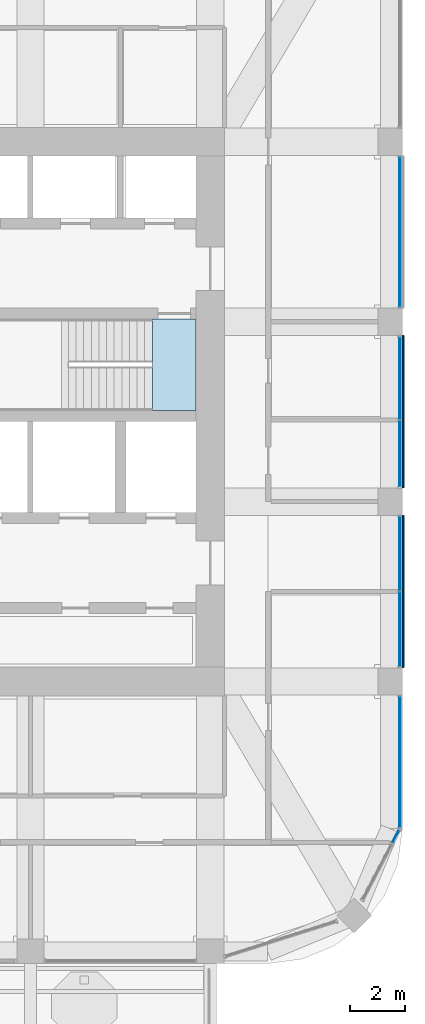
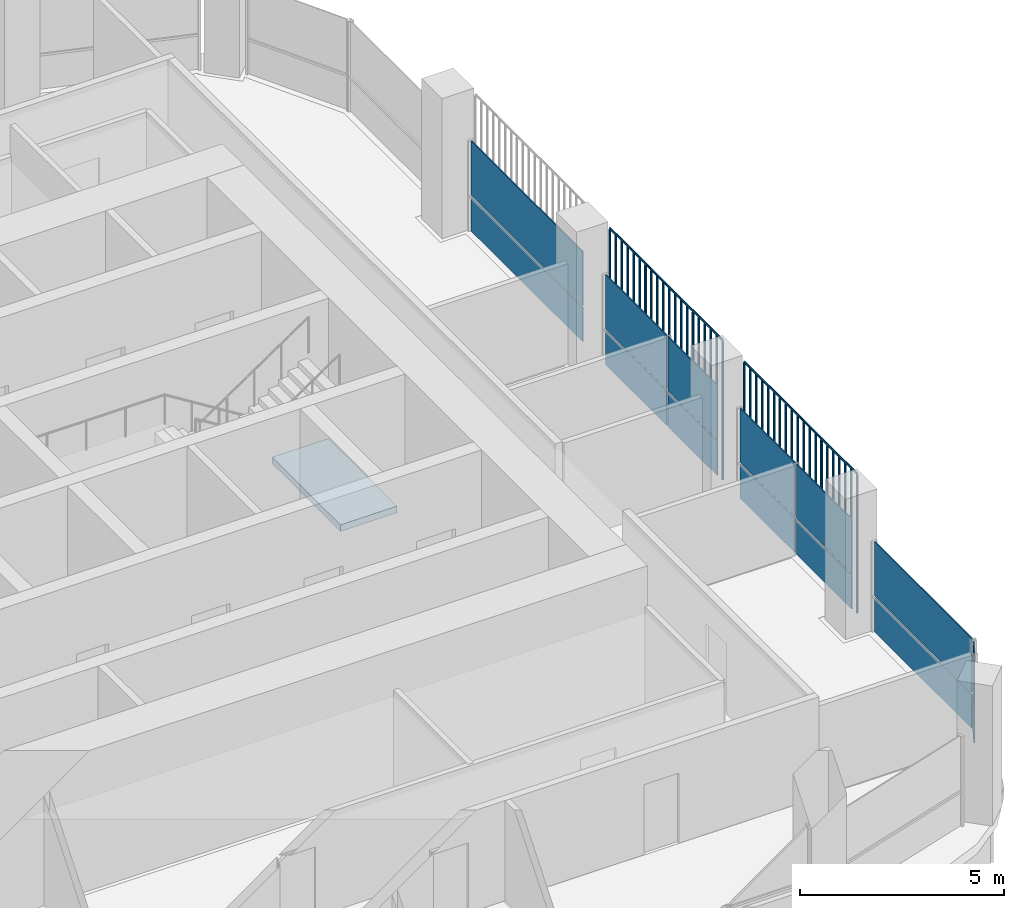
# One storey, part 11 of 21: 16 plates, 1 slab, 6 elements without a shape of their own.
"""IFC4 building model written with IfcOpenShell, lengths in metres."""

import ifcopenshell
import ifcopenshell.guid

model = None  # the IFC model being written
_history = None  # IfcOwnerHistory: only IFC2X3 demands one
_inside = {}  # id of a spatial element -> (the spatial element, [elements in it])
_under = {}  # id of a project, library or spatial element -> (it, [spatial elements below it])
_declared = {}  # id of a project -> (the project, [libraries it declares])
_typed = {}  # id of a type object -> (the type object, [elements of that type])
_made_of = {}  # id of a material, layer set ... -> (it, [elements and type objects made of it])


def new_model(schema):
    """Start an empty IFC model of exactly this schema.

    Asked for "IFC4X3", IfcOpenShell would pick the latest addendum, in which some entities
    have other attributes; the version numbers below select the first issue.
    IFC2X3 requires an IfcOwnerHistory on every rooted entity: one is made here for all.
    """
    global model, _history
    if schema == "IFC4X3":
        model = ifcopenshell.file(schema_version=(4, 3, 0, 0))
    else:
        model = ifcopenshell.file(schema=schema)
    _inside.clear()
    _under.clear()
    _declared.clear()
    _typed.clear()
    _made_of.clear()
    _history = None
    if model.schema == "IFC2X3":
        org = make("IfcOrganization", Name="unknown")
        user = make(
            "IfcPersonAndOrganization",
            ThePerson=make("IfcPerson", FamilyName="unknown"),
            TheOrganization=org,
        )
        app = make(
            "IfcApplication",
            ApplicationDeveloper=org,
            Version="unknown",
            ApplicationFullName="unknown",
            ApplicationIdentifier="unknown",
        )
        _history = make(
            "IfcOwnerHistory",
            OwningUser=user,
            OwningApplication=app,
            ChangeAction="ADDED",
            CreationDate=0,
        )
    return model


def make(cls, **values):
    """One entity of the class cls with the attributes given. An attribute that is None is left unset."""
    return model.create_entity(
        cls, **{name: value for name, value in values.items() if value is not None}
    )


def rooted(cls, **values):
    """An entity with a GlobalId (a new one), such as an element, a storey or a relation."""
    return make(cls, GlobalId=ifcopenshell.guid.new(), OwnerHistory=_history, **values)


def si_unit(unit_type, name, prefix=None):
    """IfcSIUnit, for example si_unit("LENGTHUNIT", "METRE", prefix="MILLI")."""
    return make("IfcSIUnit", UnitType=unit_type, Prefix=prefix, Name=name)


def assignment(units):
    """IfcUnitAssignment: the units of a project."""
    return None if units is None else make("IfcUnitAssignment", Units=units)


def point(xyz):
    """IfcCartesianPoint."""
    return None if xyz is None else make("IfcCartesianPoint", Coordinates=xyz)


def direction(xyz):
    """IfcDirection."""
    return None if xyz is None else make("IfcDirection", DirectionRatios=xyz)


def frame(location, z_axis=None, x_axis=None):
    """IfcAxis2Placement3D, a coordinate frame: its origin and axes. An axis left out is left unset."""
    return make(
        "IfcAxis2Placement3D",
        Location=point(location),
        Axis=direction(z_axis),
        RefDirection=direction(x_axis),
    )


def frame_2d(location, x_axis=None):
    """IfcAxis2Placement2D, a coordinate frame in the plane: its origin and x axis."""
    return make(
        "IfcAxis2Placement2D", Location=point(location), RefDirection=direction(x_axis)
    )


def origin():
    """The frame at (0, 0, 0) with its axes left unset."""
    return frame((0.0, 0.0, 0.0))


def origin_2d():
    """The frame at (0, 0) in the plane with its x axis left unset."""
    return frame_2d((0.0, 0.0))


def place(relative_to, where):
    """IfcLocalPlacement: puts the frame where relative to a parent placement (None: the world)."""
    return make(
        "IfcLocalPlacement", PlacementRelTo=relative_to, RelativePlacement=where
    )


def context(
    kind, dimensions, precision=None, world=None, true_north=None, identifier=None
):
    """IfcGeometricRepresentationContext, for example the 3D "Model" context."""
    return make(
        "IfcGeometricRepresentationContext",
        ContextIdentifier=identifier,
        ContextType=kind,
        CoordinateSpaceDimension=dimensions,
        Precision=precision,
        WorldCoordinateSystem=world,
        TrueNorth=true_north,
    )


def subcontext(parent, identifier, kind, view, scale=None):
    """IfcGeometricRepresentationSubContext, for example "Body" below "Model"."""
    return make(
        "IfcGeometricRepresentationSubContext",
        ContextIdentifier=identifier,
        ContextType=kind,
        ParentContext=parent,
        TargetScale=scale,
        TargetView=view,
    )


def project(units=None, contexts=None):
    """IfcProject with its units and contexts."""
    return rooted(
        "IfcProject",
        Name="project",
        RepresentationContexts=contexts,
        UnitsInContext=assignment(units),
    )


def spatial(cls, under=None, at=None, **own):
    """A site, building, storey or space (cls), placed at a placement, below another one or the project."""
    s = rooted(cls, ObjectPlacement=at, **own)
    if under is not None:
        _under.setdefault(under.id(), (under, []))[1].append(s)
    return s


def polyline(points):
    """IfcPolyline through the points."""
    return make("IfcPolyline", Points=[point(p) for p in points])


def profile(cls, at=None, kind="AREA", **sizes):
    """A parametric profile (cls). Its sizes go by their IFC names, for example OverallWidth=200.0."""
    return make(cls, ProfileType=kind, Position=at, **sizes)


def rectangle(**sizes):
    """IfcRectangleProfileDef."""
    return profile("IfcRectangleProfileDef", **sizes)


def outline(outer, holes=None, kind="AREA"):
    """IfcArbitraryClosedProfileDef: a profile drawn as a closed curve; with holes, ...WithVoids."""
    if holes is None:
        return make("IfcArbitraryClosedProfileDef", ProfileType=kind, OuterCurve=outer)
    return make(
        "IfcArbitraryProfileDefWithVoids",
        ProfileType=kind,
        OuterCurve=outer,
        InnerCurves=holes,
    )


def extrude(swept, where, along, depth):
    """IfcExtrudedAreaSolid: the profile swept, set in the frame where, extruded along a direction by depth."""
    return make(
        "IfcExtrudedAreaSolid",
        SweptArea=swept,
        Position=where,
        ExtrudedDirection=direction(along),
        Depth=depth,
    )


def shape(context_of_items, identifier, shape_type, items):
    """IfcShapeRepresentation: the items that make up one representation, for example the "Body"."""
    return make(
        "IfcShapeRepresentation",
        ContextOfItems=context_of_items,
        RepresentationIdentifier=identifier,
        RepresentationType=shape_type,
        Items=items,
    )


def material(Name=None, Category=None):
    """IfcMaterial."""
    return make("IfcMaterial", Name=Name, Category=Category)


def layer(
    of_material, thickness, ventilated=None, Name=None, Category=None, Priority=None
):
    """IfcMaterialLayer: one layer of a wall or slab, of a material (None: an air gap)."""
    return make(
        "IfcMaterialLayer",
        Material=of_material,
        LayerThickness=thickness,
        IsVentilated=ventilated,
        Name=Name,
        Category=Category,
        Priority=Priority,
    )


def layer_set(layers, Name=None):
    """IfcMaterialLayerSet."""
    return make("IfcMaterialLayerSet", MaterialLayers=layers, LayerSetName=Name)


def made_of(thing, what):
    """Note that an element or type object is made of a material, layer set ...; save() writes the relation."""
    if what is not None:
        _made_of.setdefault(what.id(), (what, []))[1].append(thing)
    return thing


def type_object(cls, material=None, **own):
    """A type object (cls), such as IfcWallType, which elements share."""
    return made_of(rooted(cls, **own), material)


def element(
    cls,
    number,
    at=None,
    inside=None,
    cuts=None,
    type_object=None,
    material=None,
    context=None,
    identifier="Body",
    shape_type=None,
    held_by="IfcProductDefinitionShape",
    body=None,
    shapes=None,
    **own,
):
    """One element of the class cls, such as IfcWall. Its Tag is "e" and its number.

    at: its placement. inside: the storey or other place that contains it. cuts: it is an
    opening in that element (IfcRelVoidsElement). A single representation is given by context,
    identifier, shape_type and body (its items); several are given by shapes. held_by: the class
    of the entity that holds the representations. save() writes the other relations.
    """
    e = rooted(cls, Tag="e%d" % number, ObjectPlacement=at, **own)
    if body is not None:
        shapes = [shape(context, identifier, shape_type, body)]
    if shapes is not None:
        e.Representation = make(held_by, Representations=shapes)
    if inside is not None:
        _inside.setdefault(inside.id(), (inside, []))[1].append(e)
    if cuts is not None:
        rooted(
            "IfcRelVoidsElement", RelatingBuildingElement=cuts, RelatedOpeningElement=e
        )
    if type_object is not None:
        _typed.setdefault(type_object.id(), (type_object, []))[1].append(e)
    return made_of(e, material)


def aggregate(whole, parts):
    """IfcRelAggregates: a whole, such as a stair, and the parts it consists of."""
    return rooted("IfcRelAggregates", RelatingObject=whole, RelatedObjects=parts)


def save(model, path):
    """Write the relations noted so far, then the file.

    IfcRelAggregates (storeys below a building ...), IfcRelContainedInSpatialStructure (elements
    in a storey), IfcRelDefinesByType, IfcRelAssociatesMaterial and IfcRelDeclares: one each for
    every whole, place, type object, material and project.
    """
    for whole, parts in _under.values():
        aggregate(whole, parts)
    for where, things in _inside.values():
        rooted(
            "IfcRelContainedInSpatialStructure",
            RelatedElements=things,
            RelatingStructure=where,
        )
    for kind, things in _typed.values():
        rooted("IfcRelDefinesByType", RelatedObjects=things, RelatingType=kind)
    for what, things in _made_of.values():
        rooted("IfcRelAssociatesMaterial", RelatedObjects=things, RelatingMaterial=what)
    for by, libraries in _declared.values():
        rooted("IfcRelDeclares", RelatingContext=by, RelatedDefinitions=libraries)
    model.write(path)


model = new_model("IFC4")

# Units and contexts
model_context = context("Model", 3, precision=1e-05, world=origin(), true_north=direction((0.0, 1.0)))
body_context = subcontext(model_context, "Body", "Model", "MODEL_VIEW")
ifc_project = project(units=[si_unit("LENGTHUNIT", "METRE"), si_unit("AREAUNIT", "SQUARE_METRE"), si_unit("VOLUMEUNIT", "CUBIC_METRE"), si_unit("PLANEANGLEUNIT", "RADIAN"), si_unit("MASSUNIT", "GRAM", prefix="KILO")], contexts=[model_context])

# Site, building, storey
site_placement = place(None, origin())
site = spatial("IfcSite", under=ifc_project, at=site_placement, CompositionType="ELEMENT")
building_placement = place(site_placement, origin())
building = spatial("IfcBuilding", under=site, at=building_placement, Name="Cobogo Forest Laboratory Tower", CompositionType="ELEMENT")
storey_placement = place(building_placement, frame((0.0, 0.0, 267.0)))
storey = spatial("IfcBuildingStorey", under=building, at=storey_placement, Name="L61", CompositionType="ELEMENT", Elevation=267.0)

# Curtain wall, plates
ifc_material_1 = material(Name="Aluminium curtain wall", Category="aluminium")
curtain_wall_type = type_object("IfcCurtainWallType", Name="CW-2 unitised curtain wall, solar control glazing, laboratory floors zones C and D", PredefinedType="USERDEFINED", material=ifc_material_1)
curtain_wall_1_placement = place(storey_placement, origin())
curtain_wall_1 = element("IfcCurtainWall", 1, at=curtain_wall_1_placement, inside=storey, type_object=curtain_wall_type, Name="Curtain wall 06 L61", ObjectType="UNITISED CURTAIN WALL", PredefinedType="USERDEFINED")
ifc_material_2 = material(Name="Solar control insulated glass", Category="glass")
ifc_layer_1 = layer(ifc_material_2, 0.031982421875)
ifc_layer_set_1 = layer_set([ifc_layer_1], Name="GP-2 solar control glass unit 32")
plate_type_1 = type_object("IfcPlateType", Name="GP-2 solar control glass unit 32", PredefinedType="CURTAIN_PANEL", material=ifc_layer_set_1)
plate_1_placement = place(storey_placement, frame((46.40234375, 7.51806640625, 0.0), z_axis=(0.0, 0.0, 1.0), x_axis=(0.464283778337, 0.885686498245, 0.0)))
plate_1 = element("IfcPlate", 2, at=plate_1_placement, type_object=plate_type_1, Name="CW-2 panel 2.1", PredefinedType="CURTAIN_PANEL", context=body_context, shape_type="SweptSolid", body=[
    extrude(rectangle(XDim=0.516357421875, YDim=0.031982421875, at=origin_2d()), origin(), (0.0, 0.0, 1.0), 1.02001953125),
])
plate_2_placement = place(storey_placement, frame((46.40234375, 7.51806640625, 1.079833984375), z_axis=(0.0, 0.0, 1.0), x_axis=(0.464283778337, 0.885686498245, 0.0)))
plate_2 = element("IfcPlate", 3, at=plate_2_placement, type_object=plate_type_1, Name="CW-2 panel 2.2", PredefinedType="CURTAIN_PANEL", context=body_context, shape_type="SweptSolid", body=[
    extrude(rectangle(XDim=0.516357421875, YDim=0.031982421875, at=origin_2d()), origin(), (0.0, 0.0, 1.0), 1.6201171875),
])
aggregate(curtain_wall_1, [plate_1, plate_2])

curtain_wall_2_placement = place(storey_placement, origin())
curtain_wall_2 = element("IfcCurtainWall", 4, at=curtain_wall_2_placement, inside=storey, type_object=curtain_wall_type, Name="Curtain wall 07 L61", ObjectType="UNITISED CURTAIN WALL", PredefinedType="USERDEFINED")
plate_3_placement = place(storey_placement, frame((46.550048828125, 10.25, 0.0), z_axis=(0.0, 0.0, 1.0), x_axis=(0.0, 1.0, 0.0)))
plate_3 = element("IfcPlate", 5, at=plate_3_placement, type_object=plate_type_1, Name="CW-2 panel 1.1", PredefinedType="CURTAIN_PANEL", context=body_context, shape_type="SweptSolid", body=[
    extrude(rectangle(XDim=4.780029296875, YDim=0.031982421875, at=origin_2d()), origin(), (0.0, 0.0, 1.0), 1.02001953125),
])
plate_4_placement = place(storey_placement, frame((46.550048828125, 10.25, 1.079833984375), z_axis=(0.0, 0.0, 1.0), x_axis=(0.0, 1.0, 0.0)))
plate_4 = element("IfcPlate", 6, at=plate_4_placement, type_object=plate_type_1, Name="CW-2 panel 1.2", PredefinedType="CURTAIN_PANEL", context=body_context, shape_type="SweptSolid", body=[
    extrude(rectangle(XDim=4.780029296875, YDim=0.031982421875, at=origin_2d()), origin(), (0.0, 0.0, 1.0), 1.6201171875),
])
aggregate(curtain_wall_2, [plate_3, plate_4])

curtain_wall_3_placement = place(storey_placement, origin())
curtain_wall_3 = element("IfcCurtainWall", 7, at=curtain_wall_3_placement, inside=storey, type_object=curtain_wall_type, Name="Curtain wall 08 L61", ObjectType="UNITISED CURTAIN WALL", PredefinedType="USERDEFINED")
plate_5_placement = place(storey_placement, frame((46.550048828125, 15.114990234375, 0.0), z_axis=(0.0, 0.0, 1.0), x_axis=(0.0, 1.0, 0.0)))
plate_5 = element("IfcPlate", 8, at=plate_5_placement, type_object=plate_type_1, Name="CW-2 panel 1.1", PredefinedType="CURTAIN_PANEL", context=body_context, shape_type="SweptSolid", body=[
    extrude(rectangle(XDim=2.7099609375, YDim=0.031982421875, at=origin_2d()), origin(), (0.0, 0.0, 1.0), 1.02001953125),
])
plate_6_placement = place(storey_placement, frame((46.550048828125, 15.114990234375, 1.079833984375), z_axis=(0.0, 0.0, 1.0), x_axis=(0.0, 1.0, 0.0)))
plate_6 = element("IfcPlate", 9, at=plate_6_placement, type_object=plate_type_1, Name="CW-2 panel 1.2", PredefinedType="CURTAIN_PANEL", context=body_context, shape_type="SweptSolid", body=[
    extrude(rectangle(XDim=2.7099609375, YDim=0.031982421875, at=origin_2d()), origin(), (0.0, 0.0, 1.0), 1.6201171875),
])
plate_7_placement = place(storey_placement, frame((46.550048828125, 17.885009765625, 0.0), z_axis=(0.0, 0.0, 1.0), x_axis=(0.0, 1.0, 0.0)))
plate_7 = element("IfcPlate", 10, at=plate_7_placement, type_object=plate_type_1, Name="CW-2 panel 2.1", PredefinedType="CURTAIN_PANEL", context=body_context, shape_type="SweptSolid", body=[
    extrude(rectangle(XDim=2.7099609375, YDim=0.031982421875, at=origin_2d()), origin(), (0.0, 0.0, 1.0), 1.02001953125),
])
plate_8_placement = place(storey_placement, frame((46.550048828125, 17.885009765625, 1.079833984375), z_axis=(0.0, 0.0, 1.0), x_axis=(0.0, 1.0, 0.0)))
plate_8 = element("IfcPlate", 11, at=plate_8_placement, type_object=plate_type_1, Name="CW-2 panel 2.2", PredefinedType="CURTAIN_PANEL", context=body_context, shape_type="SweptSolid", body=[
    extrude(rectangle(XDim=2.7099609375, YDim=0.031982421875, at=origin_2d()), origin(), (0.0, 0.0, 1.0), 1.6201171875),
])
aggregate(curtain_wall_3, [plate_5, plate_6, plate_7, plate_8])

curtain_wall_4_placement = place(storey_placement, origin())
curtain_wall_4 = element("IfcCurtainWall", 12, at=curtain_wall_4_placement, inside=storey, type_object=curtain_wall_type, Name="Curtain wall 09 L61", ObjectType="UNITISED CURTAIN WALL", PredefinedType="USERDEFINED")
plate_9_placement = place(storey_placement, frame((46.550048828125, 21.56494140625, 0.0), z_axis=(0.0, 0.0, 1.0), x_axis=(0.0, 1.0, 0.0)))
plate_9 = element("IfcPlate", 13, at=plate_9_placement, type_object=plate_type_1, Name="CW-2 panel 1.1", PredefinedType="CURTAIN_PANEL", context=body_context, shape_type="SweptSolid", body=[
    extrude(rectangle(XDim=2.409912109375, YDim=0.031982421875, at=origin_2d()), origin(), (0.0, 0.0, 1.0), 1.02001953125),
])
plate_10_placement = place(storey_placement, frame((46.550048828125, 21.56494140625, 1.079833984375), z_axis=(0.0, 0.0, 1.0), x_axis=(0.0, 1.0, 0.0)))
plate_10 = element("IfcPlate", 14, at=plate_10_placement, type_object=plate_type_1, Name="CW-2 panel 1.2", PredefinedType="CURTAIN_PANEL", context=body_context, shape_type="SweptSolid", body=[
    extrude(rectangle(XDim=2.409912109375, YDim=0.031982421875, at=origin_2d()), origin(), (0.0, 0.0, 1.0), 1.6201171875),
])
plate_11_placement = place(storey_placement, frame((46.550048828125, 24.3349609375, 0.0), z_axis=(0.0, 0.0, 1.0), x_axis=(0.0, 1.0, 0.0)))
plate_11 = element("IfcPlate", 15, at=plate_11_placement, type_object=plate_type_1, Name="CW-2 panel 2.1", PredefinedType="CURTAIN_PANEL", context=body_context, shape_type="SweptSolid", body=[
    extrude(rectangle(XDim=3.010009765625, YDim=0.031982421875, at=origin_2d()), origin(), (0.0, 0.0, 1.0), 1.02001953125),
])
plate_12_placement = place(storey_placement, frame((46.550048828125, 24.3349609375, 1.079833984375), z_axis=(0.0, 0.0, 1.0), x_axis=(0.0, 1.0, 0.0)))
plate_12 = element("IfcPlate", 16, at=plate_12_placement, type_object=plate_type_1, Name="CW-2 panel 2.2", PredefinedType="CURTAIN_PANEL", context=body_context, shape_type="SweptSolid", body=[
    extrude(rectangle(XDim=3.010009765625, YDim=0.031982421875, at=origin_2d()), origin(), (0.0, 0.0, 1.0), 1.6201171875),
])
aggregate(curtain_wall_4, [plate_9, plate_10, plate_11, plate_12])

curtain_wall_5_placement = place(storey_placement, origin())
curtain_wall_5 = element("IfcCurtainWall", 17, at=curtain_wall_5_placement, inside=storey, type_object=curtain_wall_type, Name="Curtain wall 10 L61", ObjectType="UNITISED CURTAIN WALL", PredefinedType="USERDEFINED")
plate_13_placement = place(storey_placement, frame((46.550048828125, 29.699951171875, 0.0), z_axis=(0.0, 0.0, 1.0), x_axis=(0.0, 1.0, 0.0)))
plate_13 = element("IfcPlate", 18, at=plate_13_placement, type_object=plate_type_1, Name="CW-2 panel 1.1", PredefinedType="CURTAIN_PANEL", context=body_context, shape_type="SweptSolid", body=[
    extrude(rectangle(XDim=5.47998046875, YDim=0.031982421875, at=origin_2d()), origin(), (0.0, 0.0, 1.0), 1.02001953125),
])
plate_14_placement = place(storey_placement, frame((46.550048828125, 29.699951171875, 1.079833984375), z_axis=(0.0, 0.0, 1.0), x_axis=(0.0, 1.0, 0.0)))
plate_14 = element("IfcPlate", 19, at=plate_14_placement, type_object=plate_type_1, Name="CW-2 panel 1.2", PredefinedType="CURTAIN_PANEL", context=body_context, shape_type="SweptSolid", body=[
    extrude(rectangle(XDim=5.47998046875, YDim=0.031982421875, at=origin_2d()), origin(), (0.0, 0.0, 1.0), 1.6201171875),
])
aggregate(curtain_wall_5, [plate_13, plate_14])

# Stair, slab
ifc_material_3 = material(Name="Precast concrete HA-40 (C40/50)", Category="concrete")
stair_type = type_object("IfcStairType", Name="ST24 exit stair 24 risers", PredefinedType="HALF_TURN_STAIR", material=ifc_material_3)
stair_placement = place(storey_placement, origin())
stair = element("IfcStair", 20, at=stair_placement, inside=storey, type_object=stair_type, Name="Stair 2 L61 to L62", PredefinedType="HALF_TURN_STAIR")
ifc_material_4 = material(Name="Concrete HA-40 (C40/50)", Category="concrete")
ifc_layer_2 = layer(ifc_material_4, 0.199951171875)
ifc_layer_set_2 = layer_set([ifc_layer_2], Name="SL stair landing 200")
slab_type = type_object("IfcSlabType", Name="SL stair landing 200", PredefinedType="LANDING", material=ifc_layer_set_2)
slab_placement = place(storey_placement, frame((0.0, 0.0, -0.199951171875)))
slab = element("IfcSlab", 21, at=slab_placement, type_object=slab_type, Name="ST2 landing 1", PredefinedType="LANDING", context=body_context, shape_type="SweptSolid", body=[
    extrude(outline(polyline([(37.472900390625, 23.14990234375), (39.074951171875, 23.14990234375), (39.074951171875, 26.5), (37.472900390625, 26.5), (37.472900390625, 23.14990234375)])), origin(), (0.0, 0.0, 1.0), 0.199951171875),
])
aggregate(stair, [slab])

# Plates
ifc_material_5 = material(Name="Terracotta", Category="masonry")
plate_type_2 = type_object("IfcPlateType", Name="TB1 terracotta baguette screen", PredefinedType="USERDEFINED", material=ifc_material_5)
plate_15_placement = place(storey_placement, frame((46.677978515625, 13.731201171875, -0.14990234375)))
element("IfcPlate", 22, at=plate_15_placement, inside=storey, type_object=plate_type_2, Name="Baguette screen E1 L61", ObjectType="BAGUETTE SCREEN", PredefinedType="USERDEFINED", context=body_context, shape_type="SweptSolid", body=[
    extrude(outline(polyline([(0.02880859375, 0.011962890625), (0.011962890625, 0.02880859375), (-0.011962890625, 0.02880859375), (-0.02880859375, 0.011962890625), (-0.02880859375, -0.011962890625), (-0.011962890625, -0.02880859375), (0.011962890625, -0.02880859375), (0.02880859375, -0.011962890625), (0.02880859375, 0.011962890625)])), frame((0.0, 0.0, 4.168701171875), z_axis=(0.0, 1.0, 0.0), x_axis=(-1.0, 0.0, 0.0)), (0.0, 0.0, 1.0), 5.53759765625),
    extrude(outline(polyline([(0.02880859375, 0.011962890625), (0.011962890625, 0.02880859375), (-0.011962890625, 0.02880859375), (-0.02880859375, 0.011962890625), (-0.02880859375, -0.011962890625), (-0.011962890625, -0.02880859375), (0.011962890625, -0.02880859375), (0.02880859375, -0.011962890625), (0.02880859375, 0.011962890625)])), origin(), (0.0, 0.0, 1.0), 4.137451171875),
    extrude(outline(polyline([(0.02880859375, 0.011962890625), (0.011962890625, 0.02880859375), (-0.011962890625, 0.02880859375), (-0.02880859375, 0.011962890625), (-0.02880859375, -0.011962890625), (-0.011962890625, -0.02880859375), (0.011962890625, -0.02880859375), (0.02880859375, -0.011962890625), (0.02880859375, 0.011962890625)])), frame((0.0, 0.29150390625, 0.0)), (0.0, 0.0, 1.0), 4.137451171875),
    extrude(outline(polyline([(0.02880859375, 0.011962890625), (0.011962890625, 0.02880859375), (-0.011962890625, 0.02880859375), (-0.02880859375, 0.011962890625), (-0.02880859375, -0.011962890625), (-0.011962890625, -0.02880859375), (0.011962890625, -0.02880859375), (0.02880859375, -0.011962890625), (0.02880859375, 0.011962890625)])), frame((0.0, 0.5830078125, 0.0)), (0.0, 0.0, 1.0), 4.137451171875),
    extrude(outline(polyline([(0.02880859375, 0.011962890625), (0.011962890625, 0.02880859375), (-0.011962890625, 0.02880859375), (-0.02880859375, 0.011962890625), (-0.02880859375, -0.011962890625), (-0.011962890625, -0.02880859375), (0.011962890625, -0.02880859375), (0.02880859375, -0.011962890625), (0.02880859375, 0.011962890625)])), frame((0.0, 0.874267578125, 0.0)), (0.0, 0.0, 1.0), 4.137451171875),
    extrude(outline(polyline([(0.02880859375, 0.011962890625), (0.011962890625, 0.02880859375), (-0.011962890625, 0.02880859375), (-0.02880859375, 0.011962890625), (-0.02880859375, -0.011962890625), (-0.011962890625, -0.02880859375), (0.011962890625, -0.02880859375), (0.02880859375, -0.011962890625), (0.02880859375, 0.011962890625)])), frame((0.0, 1.165771484375, 0.0)), (0.0, 0.0, 1.0), 4.137451171875),
    extrude(outline(polyline([(0.02880859375, 0.011962890625), (0.011962890625, 0.02880859375), (-0.011962890625, 0.02880859375), (-0.02880859375, 0.011962890625), (-0.02880859375, -0.011962890625), (-0.011962890625, -0.02880859375), (0.011962890625, -0.02880859375), (0.02880859375, -0.011962890625), (0.02880859375, 0.011962890625)])), frame((0.0, 1.457275390625, 0.0)), (0.0, 0.0, 1.0), 4.137451171875),
    extrude(outline(polyline([(0.02880859375, 0.011962890625), (0.011962890625, 0.02880859375), (-0.011962890625, 0.02880859375), (-0.02880859375, 0.011962890625), (-0.02880859375, -0.011962890625), (-0.011962890625, -0.02880859375), (0.011962890625, -0.02880859375), (0.02880859375, -0.011962890625), (0.02880859375, 0.011962890625)])), frame((0.0, 1.748779296875, 0.0)), (0.0, 0.0, 1.0), 4.137451171875),
    extrude(outline(polyline([(0.02880859375, 0.011962890625), (0.011962890625, 0.02880859375), (-0.011962890625, 0.02880859375), (-0.02880859375, 0.011962890625), (-0.02880859375, -0.011962890625), (-0.011962890625, -0.02880859375), (0.011962890625, -0.02880859375), (0.02880859375, -0.011962890625), (0.02880859375, 0.011962890625)])), frame((0.0, 2.040283203125, 0.0)), (0.0, 0.0, 1.0), 4.137451171875),
    extrude(outline(polyline([(0.02880859375, 0.011962890625), (0.011962890625, 0.02880859375), (-0.011962890625, 0.02880859375), (-0.02880859375, 0.011962890625), (-0.02880859375, -0.011962890625), (-0.011962890625, -0.02880859375), (0.011962890625, -0.02880859375), (0.02880859375, -0.011962890625), (0.02880859375, 0.011962890625)])), frame((0.0, 2.33154296875, 0.0)), (0.0, 0.0, 1.0), 4.137451171875),
    extrude(outline(polyline([(0.02880859375, 0.011962890625), (0.011962890625, 0.02880859375), (-0.011962890625, 0.02880859375), (-0.02880859375, 0.011962890625), (-0.02880859375, -0.011962890625), (-0.011962890625, -0.02880859375), (0.011962890625, -0.02880859375), (0.02880859375, -0.011962890625), (0.02880859375, 0.011962890625)])), frame((0.0, 2.623046875, 0.0)), (0.0, 0.0, 1.0), 4.137451171875),
    extrude(outline(polyline([(0.02880859375, 0.011962890625), (0.011962890625, 0.02880859375), (-0.011962890625, 0.02880859375), (-0.02880859375, 0.011962890625), (-0.02880859375, -0.011962890625), (-0.011962890625, -0.02880859375), (0.011962890625, -0.02880859375), (0.02880859375, -0.011962890625), (0.02880859375, 0.011962890625)])), frame((0.0, 2.91455078125, 0.0)), (0.0, 0.0, 1.0), 4.137451171875),
    extrude(outline(polyline([(0.02880859375, 0.011962890625), (0.011962890625, 0.02880859375), (-0.011962890625, 0.02880859375), (-0.02880859375, 0.011962890625), (-0.02880859375, -0.011962890625), (-0.011962890625, -0.02880859375), (0.011962890625, -0.02880859375), (0.02880859375, -0.011962890625), (0.02880859375, 0.011962890625)])), frame((0.0, 3.2060546875, 0.0)), (0.0, 0.0, 1.0), 4.137451171875),
    extrude(outline(polyline([(0.02880859375, 0.011962890625), (0.011962890625, 0.02880859375), (-0.011962890625, 0.02880859375), (-0.02880859375, 0.011962890625), (-0.02880859375, -0.011962890625), (-0.011962890625, -0.02880859375), (0.011962890625, -0.02880859375), (0.02880859375, -0.011962890625), (0.02880859375, 0.011962890625)])), frame((0.0, 3.497314453125, 0.0)), (0.0, 0.0, 1.0), 4.137451171875),
    extrude(outline(polyline([(0.02880859375, 0.011962890625), (0.011962890625, 0.02880859375), (-0.011962890625, 0.02880859375), (-0.02880859375, 0.011962890625), (-0.02880859375, -0.011962890625), (-0.011962890625, -0.02880859375), (0.011962890625, -0.02880859375), (0.02880859375, -0.011962890625), (0.02880859375, 0.011962890625)])), frame((0.0, 3.788818359375, 0.0)), (0.0, 0.0, 1.0), 4.137451171875),
    extrude(outline(polyline([(0.02880859375, 0.011962890625), (0.011962890625, 0.02880859375), (-0.011962890625, 0.02880859375), (-0.02880859375, 0.011962890625), (-0.02880859375, -0.011962890625), (-0.011962890625, -0.02880859375), (0.011962890625, -0.02880859375), (0.02880859375, -0.011962890625), (0.02880859375, 0.011962890625)])), frame((0.0, 4.080322265625, 0.0)), (0.0, 0.0, 1.0), 4.137451171875),
    extrude(outline(polyline([(0.02880859375, 0.011962890625), (0.011962890625, 0.02880859375), (-0.011962890625, 0.02880859375), (-0.02880859375, 0.011962890625), (-0.02880859375, -0.011962890625), (-0.011962890625, -0.02880859375), (0.011962890625, -0.02880859375), (0.02880859375, -0.011962890625), (0.02880859375, 0.011962890625)])), frame((0.0, 4.371826171875, 0.0)), (0.0, 0.0, 1.0), 4.137451171875),
    extrude(outline(polyline([(0.02880859375, 0.011962890625), (0.011962890625, 0.02880859375), (-0.011962890625, 0.02880859375), (-0.02880859375, 0.011962890625), (-0.02880859375, -0.011962890625), (-0.011962890625, -0.02880859375), (0.011962890625, -0.02880859375), (0.02880859375, -0.011962890625), (0.02880859375, 0.011962890625)])), frame((0.0, 4.663330078125, 0.0)), (0.0, 0.0, 1.0), 4.137451171875),
    extrude(outline(polyline([(0.02880859375, 0.011962890625), (0.011962890625, 0.02880859375), (-0.011962890625, 0.02880859375), (-0.02880859375, 0.011962890625), (-0.02880859375, -0.011962890625), (-0.011962890625, -0.02880859375), (0.011962890625, -0.02880859375), (0.02880859375, -0.011962890625), (0.02880859375, 0.011962890625)])), frame((0.0, 4.95458984375, 0.0)), (0.0, 0.0, 1.0), 4.137451171875),
    extrude(outline(polyline([(0.02880859375, 0.011962890625), (0.011962890625, 0.02880859375), (-0.011962890625, 0.02880859375), (-0.02880859375, 0.011962890625), (-0.02880859375, -0.011962890625), (-0.011962890625, -0.02880859375), (0.011962890625, -0.02880859375), (0.02880859375, -0.011962890625), (0.02880859375, 0.011962890625)])), frame((0.0, 5.24609375, 0.0)), (0.0, 0.0, 1.0), 4.137451171875),
    extrude(outline(polyline([(0.02880859375, 0.011962890625), (0.011962890625, 0.02880859375), (-0.011962890625, 0.02880859375), (-0.02880859375, 0.011962890625), (-0.02880859375, -0.011962890625), (-0.011962890625, -0.02880859375), (0.011962890625, -0.02880859375), (0.02880859375, -0.011962890625), (0.02880859375, 0.011962890625)])), frame((0.0, 5.53759765625, 0.0)), (0.0, 0.0, 1.0), 4.137451171875),
])
plate_16_placement = place(storey_placement, frame((46.677978515625, 20.331298828125, -0.14990234375)))
element("IfcPlate", 23, at=plate_16_placement, inside=storey, type_object=plate_type_2, Name="Baguette screen E2 L61", ObjectType="BAGUETTE SCREEN", PredefinedType="USERDEFINED", context=body_context, shape_type="SweptSolid", body=[
    extrude(outline(polyline([(0.02880859375, 0.011962890625), (0.011962890625, 0.02880859375), (-0.011962890625, 0.02880859375), (-0.02880859375, 0.011962890625), (-0.02880859375, -0.011962890625), (-0.011962890625, -0.02880859375), (0.011962890625, -0.02880859375), (0.02880859375, -0.011962890625), (0.02880859375, 0.011962890625)])), frame((0.0, 0.0, 4.168701171875), z_axis=(0.0, 1.0, 0.0), x_axis=(-1.0, 0.0, 0.0)), (0.0, 0.0, 1.0), 5.537353515625),
    extrude(outline(polyline([(0.02880859375, 0.011962890625), (0.011962890625, 0.02880859375), (-0.011962890625, 0.02880859375), (-0.02880859375, 0.011962890625), (-0.02880859375, -0.011962890625), (-0.011962890625, -0.02880859375), (0.011962890625, -0.02880859375), (0.02880859375, -0.011962890625), (0.02880859375, 0.011962890625)])), origin(), (0.0, 0.0, 1.0), 4.137451171875),
    extrude(outline(polyline([(0.02880859375, 0.011962890625), (0.011962890625, 0.02880859375), (-0.011962890625, 0.02880859375), (-0.02880859375, 0.011962890625), (-0.02880859375, -0.011962890625), (-0.011962890625, -0.02880859375), (0.011962890625, -0.02880859375), (0.02880859375, -0.011962890625), (0.02880859375, 0.011962890625)])), frame((0.0, 0.29150390625, 0.0)), (0.0, 0.0, 1.0), 4.137451171875),
    extrude(outline(polyline([(0.02880859375, 0.011962890625), (0.011962890625, 0.02880859375), (-0.011962890625, 0.02880859375), (-0.02880859375, 0.011962890625), (-0.02880859375, -0.011962890625), (-0.011962890625, -0.02880859375), (0.011962890625, -0.02880859375), (0.02880859375, -0.011962890625), (0.02880859375, 0.011962890625)])), frame((0.0, 0.582763671875, 0.0)), (0.0, 0.0, 1.0), 4.137451171875),
    extrude(outline(polyline([(0.02880859375, 0.011962890625), (0.011962890625, 0.02880859375), (-0.011962890625, 0.02880859375), (-0.02880859375, 0.011962890625), (-0.02880859375, -0.011962890625), (-0.011962890625, -0.02880859375), (0.011962890625, -0.02880859375), (0.02880859375, -0.011962890625), (0.02880859375, 0.011962890625)])), frame((0.0, 0.874267578125, 0.0)), (0.0, 0.0, 1.0), 4.137451171875),
    extrude(outline(polyline([(0.02880859375, 0.011962890625), (0.011962890625, 0.02880859375), (-0.011962890625, 0.02880859375), (-0.02880859375, 0.011962890625), (-0.02880859375, -0.011962890625), (-0.011962890625, -0.02880859375), (0.011962890625, -0.02880859375), (0.02880859375, -0.011962890625), (0.02880859375, 0.011962890625)])), frame((0.0, 1.165771484375, 0.0)), (0.0, 0.0, 1.0), 4.137451171875),
    extrude(outline(polyline([(0.02880859375, 0.011962890625), (0.011962890625, 0.02880859375), (-0.011962890625, 0.02880859375), (-0.02880859375, 0.011962890625), (-0.02880859375, -0.011962890625), (-0.011962890625, -0.02880859375), (0.011962890625, -0.02880859375), (0.02880859375, -0.011962890625), (0.02880859375, 0.011962890625)])), frame((0.0, 1.457275390625, 0.0)), (0.0, 0.0, 1.0), 4.137451171875),
    extrude(outline(polyline([(0.02880859375, 0.011962890625), (0.011962890625, 0.02880859375), (-0.011962890625, 0.02880859375), (-0.02880859375, 0.011962890625), (-0.02880859375, -0.011962890625), (-0.011962890625, -0.02880859375), (0.011962890625, -0.02880859375), (0.02880859375, -0.011962890625), (0.02880859375, 0.011962890625)])), frame((0.0, 1.74853515625, 0.0)), (0.0, 0.0, 1.0), 4.137451171875),
    extrude(outline(polyline([(0.02880859375, 0.011962890625), (0.011962890625, 0.02880859375), (-0.011962890625, 0.02880859375), (-0.02880859375, 0.011962890625), (-0.02880859375, -0.011962890625), (-0.011962890625, -0.02880859375), (0.011962890625, -0.02880859375), (0.02880859375, -0.011962890625), (0.02880859375, 0.011962890625)])), frame((0.0, 2.0400390625, 0.0)), (0.0, 0.0, 1.0), 4.137451171875),
    extrude(outline(polyline([(0.02880859375, 0.011962890625), (0.011962890625, 0.02880859375), (-0.011962890625, 0.02880859375), (-0.02880859375, 0.011962890625), (-0.02880859375, -0.011962890625), (-0.011962890625, -0.02880859375), (0.011962890625, -0.02880859375), (0.02880859375, -0.011962890625), (0.02880859375, 0.011962890625)])), frame((0.0, 2.33154296875, 0.0)), (0.0, 0.0, 1.0), 4.137451171875),
    extrude(outline(polyline([(0.02880859375, 0.011962890625), (0.011962890625, 0.02880859375), (-0.011962890625, 0.02880859375), (-0.02880859375, 0.011962890625), (-0.02880859375, -0.011962890625), (-0.011962890625, -0.02880859375), (0.011962890625, -0.02880859375), (0.02880859375, -0.011962890625), (0.02880859375, 0.011962890625)])), frame((0.0, 2.623046875, 0.0)), (0.0, 0.0, 1.0), 4.137451171875),
    extrude(outline(polyline([(0.02880859375, 0.011962890625), (0.011962890625, 0.02880859375), (-0.011962890625, 0.02880859375), (-0.02880859375, 0.011962890625), (-0.02880859375, -0.011962890625), (-0.011962890625, -0.02880859375), (0.011962890625, -0.02880859375), (0.02880859375, -0.011962890625), (0.02880859375, 0.011962890625)])), frame((0.0, 2.914306640625, 0.0)), (0.0, 0.0, 1.0), 4.137451171875),
    extrude(outline(polyline([(0.02880859375, 0.011962890625), (0.011962890625, 0.02880859375), (-0.011962890625, 0.02880859375), (-0.02880859375, 0.011962890625), (-0.02880859375, -0.011962890625), (-0.011962890625, -0.02880859375), (0.011962890625, -0.02880859375), (0.02880859375, -0.011962890625), (0.02880859375, 0.011962890625)])), frame((0.0, 3.205810546875, 0.0)), (0.0, 0.0, 1.0), 4.137451171875),
    extrude(outline(polyline([(0.02880859375, 0.011962890625), (0.011962890625, 0.02880859375), (-0.011962890625, 0.02880859375), (-0.02880859375, 0.011962890625), (-0.02880859375, -0.011962890625), (-0.011962890625, -0.02880859375), (0.011962890625, -0.02880859375), (0.02880859375, -0.011962890625), (0.02880859375, 0.011962890625)])), frame((0.0, 3.497314453125, 0.0)), (0.0, 0.0, 1.0), 4.137451171875),
    extrude(outline(polyline([(0.02880859375, 0.011962890625), (0.011962890625, 0.02880859375), (-0.011962890625, 0.02880859375), (-0.02880859375, 0.011962890625), (-0.02880859375, -0.011962890625), (-0.011962890625, -0.02880859375), (0.011962890625, -0.02880859375), (0.02880859375, -0.011962890625), (0.02880859375, 0.011962890625)])), frame((0.0, 3.788818359375, 0.0)), (0.0, 0.0, 1.0), 4.137451171875),
    extrude(outline(polyline([(0.02880859375, 0.011962890625), (0.011962890625, 0.02880859375), (-0.011962890625, 0.02880859375), (-0.02880859375, 0.011962890625), (-0.02880859375, -0.011962890625), (-0.011962890625, -0.02880859375), (0.011962890625, -0.02880859375), (0.02880859375, -0.011962890625), (0.02880859375, 0.011962890625)])), frame((0.0, 4.080078125, 0.0)), (0.0, 0.0, 1.0), 4.137451171875),
    extrude(outline(polyline([(0.02880859375, 0.011962890625), (0.011962890625, 0.02880859375), (-0.011962890625, 0.02880859375), (-0.02880859375, 0.011962890625), (-0.02880859375, -0.011962890625), (-0.011962890625, -0.02880859375), (0.011962890625, -0.02880859375), (0.02880859375, -0.011962890625), (0.02880859375, 0.011962890625)])), frame((0.0, 4.37158203125, 0.0)), (0.0, 0.0, 1.0), 4.137451171875),
    extrude(outline(polyline([(0.02880859375, 0.011962890625), (0.011962890625, 0.02880859375), (-0.011962890625, 0.02880859375), (-0.02880859375, 0.011962890625), (-0.02880859375, -0.011962890625), (-0.011962890625, -0.02880859375), (0.011962890625, -0.02880859375), (0.02880859375, -0.011962890625), (0.02880859375, 0.011962890625)])), frame((0.0, 4.6630859375, 0.0)), (0.0, 0.0, 1.0), 4.137451171875),
    extrude(outline(polyline([(0.02880859375, 0.011962890625), (0.011962890625, 0.02880859375), (-0.011962890625, 0.02880859375), (-0.02880859375, 0.011962890625), (-0.02880859375, -0.011962890625), (-0.011962890625, -0.02880859375), (0.011962890625, -0.02880859375), (0.02880859375, -0.011962890625), (0.02880859375, 0.011962890625)])), frame((0.0, 4.95458984375, 0.0)), (0.0, 0.0, 1.0), 4.137451171875),
    extrude(outline(polyline([(0.02880859375, 0.011962890625), (0.011962890625, 0.02880859375), (-0.011962890625, 0.02880859375), (-0.02880859375, 0.011962890625), (-0.02880859375, -0.011962890625), (-0.011962890625, -0.02880859375), (0.011962890625, -0.02880859375), (0.02880859375, -0.011962890625), (0.02880859375, 0.011962890625)])), frame((0.0, 5.245849609375, 0.0)), (0.0, 0.0, 1.0), 4.137451171875),
    extrude(outline(polyline([(0.02880859375, 0.011962890625), (0.011962890625, 0.02880859375), (-0.011962890625, 0.02880859375), (-0.02880859375, 0.011962890625), (-0.02880859375, -0.011962890625), (-0.011962890625, -0.02880859375), (0.011962890625, -0.02880859375), (0.02880859375, -0.011962890625), (0.02880859375, 0.011962890625)])), frame((0.0, 5.537353515625, 0.0)), (0.0, 0.0, 1.0), 4.137451171875),
])

save(model, "model.ifc")
